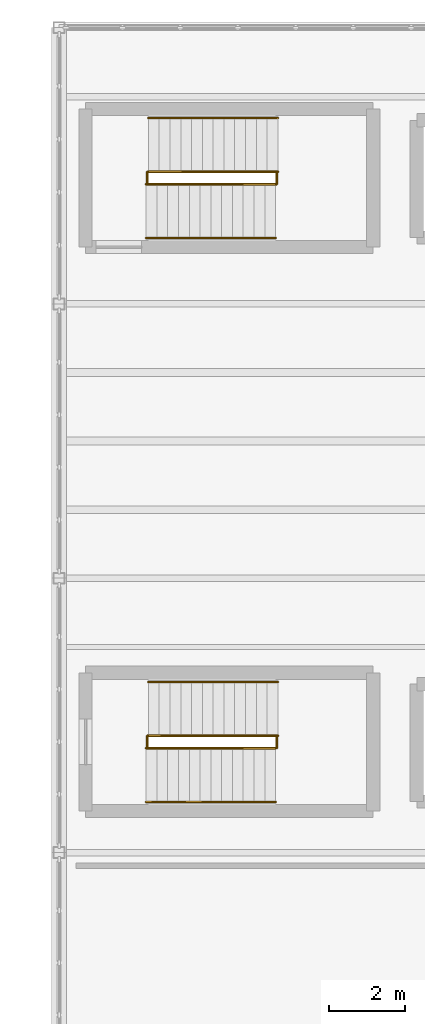
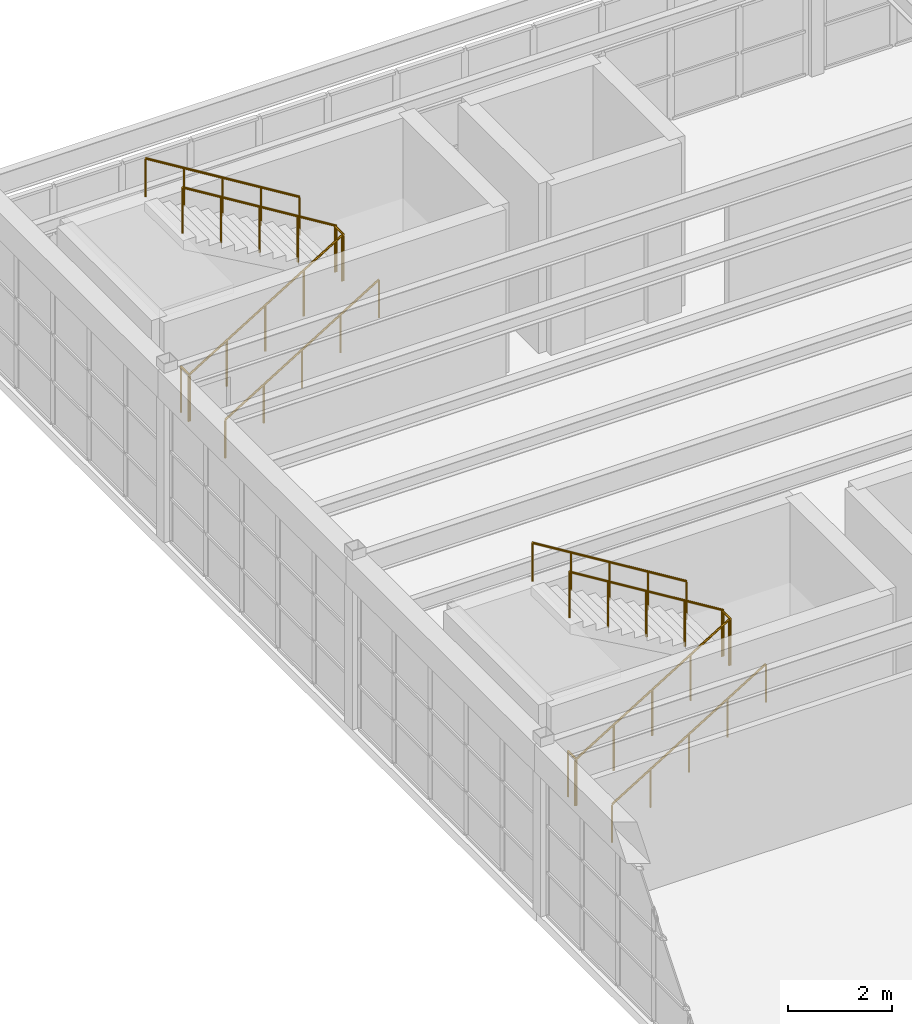
# One storey, part 51 of 52: 12 railings.
"""IFC4 building model written with IfcOpenShell, lengths in metres."""

import ifcopenshell
import ifcopenshell.guid

model = None  # the IFC model being written
_history = None  # IfcOwnerHistory: only IFC2X3 demands one
_inside = {}  # id of a spatial element -> (the spatial element, [elements in it])
_under = {}  # id of a project, library or spatial element -> (it, [spatial elements below it])
_declared = {}  # id of a project -> (the project, [libraries it declares])
_typed = {}  # id of a type object -> (the type object, [elements of that type])
_made_of = {}  # id of a material, layer set ... -> (it, [elements and type objects made of it])


def new_model(schema):
    """Start an empty IFC model of exactly this schema.

    Asked for "IFC4X3", IfcOpenShell would pick the latest addendum, in which some entities
    have other attributes; the version numbers below select the first issue.
    IFC2X3 requires an IfcOwnerHistory on every rooted entity: one is made here for all.
    """
    global model, _history
    if schema == "IFC4X3":
        model = ifcopenshell.file(schema_version=(4, 3, 0, 0))
    else:
        model = ifcopenshell.file(schema=schema)
    _inside.clear()
    _under.clear()
    _declared.clear()
    _typed.clear()
    _made_of.clear()
    _history = None
    if model.schema == "IFC2X3":
        org = make("IfcOrganization", Name="unknown")
        user = make(
            "IfcPersonAndOrganization",
            ThePerson=make("IfcPerson", FamilyName="unknown"),
            TheOrganization=org,
        )
        app = make(
            "IfcApplication",
            ApplicationDeveloper=org,
            Version="unknown",
            ApplicationFullName="unknown",
            ApplicationIdentifier="unknown",
        )
        _history = make(
            "IfcOwnerHistory",
            OwningUser=user,
            OwningApplication=app,
            ChangeAction="ADDED",
            CreationDate=0,
        )
    return model


def make(cls, **values):
    """One entity of the class cls with the attributes given. An attribute that is None is left unset."""
    return model.create_entity(
        cls, **{name: value for name, value in values.items() if value is not None}
    )


def rooted(cls, **values):
    """An entity with a GlobalId (a new one), such as an element, a storey or a relation."""
    return make(cls, GlobalId=ifcopenshell.guid.new(), OwnerHistory=_history, **values)


def si_unit(unit_type, name, prefix=None):
    """IfcSIUnit, for example si_unit("LENGTHUNIT", "METRE", prefix="MILLI")."""
    return make("IfcSIUnit", UnitType=unit_type, Prefix=prefix, Name=name)


def assignment(units):
    """IfcUnitAssignment: the units of a project."""
    return None if units is None else make("IfcUnitAssignment", Units=units)


def point(xyz):
    """IfcCartesianPoint."""
    return None if xyz is None else make("IfcCartesianPoint", Coordinates=xyz)


def direction(xyz):
    """IfcDirection."""
    return None if xyz is None else make("IfcDirection", DirectionRatios=xyz)


def frame(location, z_axis=None, x_axis=None):
    """IfcAxis2Placement3D, a coordinate frame: its origin and axes. An axis left out is left unset."""
    return make(
        "IfcAxis2Placement3D",
        Location=point(location),
        Axis=direction(z_axis),
        RefDirection=direction(x_axis),
    )


def frame_2d(location, x_axis=None):
    """IfcAxis2Placement2D, a coordinate frame in the plane: its origin and x axis."""
    return make(
        "IfcAxis2Placement2D", Location=point(location), RefDirection=direction(x_axis)
    )


def origin():
    """The frame at (0, 0, 0) with its axes left unset."""
    return frame((0.0, 0.0, 0.0))


def origin_2d():
    """The frame at (0, 0) in the plane with its x axis left unset."""
    return frame_2d((0.0, 0.0))


def place(relative_to, where):
    """IfcLocalPlacement: puts the frame where relative to a parent placement (None: the world)."""
    return make(
        "IfcLocalPlacement", PlacementRelTo=relative_to, RelativePlacement=where
    )


def context(
    kind, dimensions, precision=None, world=None, true_north=None, identifier=None
):
    """IfcGeometricRepresentationContext, for example the 3D "Model" context."""
    return make(
        "IfcGeometricRepresentationContext",
        ContextIdentifier=identifier,
        ContextType=kind,
        CoordinateSpaceDimension=dimensions,
        Precision=precision,
        WorldCoordinateSystem=world,
        TrueNorth=true_north,
    )


def subcontext(parent, identifier, kind, view, scale=None):
    """IfcGeometricRepresentationSubContext, for example "Body" below "Model"."""
    return make(
        "IfcGeometricRepresentationSubContext",
        ContextIdentifier=identifier,
        ContextType=kind,
        ParentContext=parent,
        TargetScale=scale,
        TargetView=view,
    )


def project(units=None, contexts=None):
    """IfcProject with its units and contexts."""
    return rooted(
        "IfcProject",
        Name="project",
        RepresentationContexts=contexts,
        UnitsInContext=assignment(units),
    )


def spatial(cls, under=None, at=None, **own):
    """A site, building, storey or space (cls), placed at a placement, below another one or the project."""
    s = rooted(cls, ObjectPlacement=at, **own)
    if under is not None:
        _under.setdefault(under.id(), (under, []))[1].append(s)
    return s


def profile(cls, at=None, kind="AREA", **sizes):
    """A parametric profile (cls). Its sizes go by their IFC names, for example OverallWidth=200.0."""
    return make(cls, ProfileType=kind, Position=at, **sizes)


def circle(**sizes):
    """IfcCircleProfileDef."""
    return profile("IfcCircleProfileDef", **sizes)


def extrude(swept, where, along, depth):
    """IfcExtrudedAreaSolid: the profile swept, set in the frame where, extruded along a direction by depth."""
    return make(
        "IfcExtrudedAreaSolid",
        SweptArea=swept,
        Position=where,
        ExtrudedDirection=direction(along),
        Depth=depth,
    )


def shape(context_of_items, identifier, shape_type, items):
    """IfcShapeRepresentation: the items that make up one representation, for example the "Body"."""
    return make(
        "IfcShapeRepresentation",
        ContextOfItems=context_of_items,
        RepresentationIdentifier=identifier,
        RepresentationType=shape_type,
        Items=items,
    )


def material(Name=None, Category=None):
    """IfcMaterial."""
    return make("IfcMaterial", Name=Name, Category=Category)


def made_of(thing, what):
    """Note that an element or type object is made of a material, layer set ...; save() writes the relation."""
    if what is not None:
        _made_of.setdefault(what.id(), (what, []))[1].append(thing)
    return thing


def type_object(cls, material=None, **own):
    """A type object (cls), such as IfcWallType, which elements share."""
    return made_of(rooted(cls, **own), material)


def element(
    cls,
    number,
    at=None,
    inside=None,
    cuts=None,
    type_object=None,
    material=None,
    context=None,
    identifier="Body",
    shape_type=None,
    held_by="IfcProductDefinitionShape",
    body=None,
    shapes=None,
    **own,
):
    """One element of the class cls, such as IfcWall. Its Tag is "e" and its number.

    at: its placement. inside: the storey or other place that contains it. cuts: it is an
    opening in that element (IfcRelVoidsElement). A single representation is given by context,
    identifier, shape_type and body (its items); several are given by shapes. held_by: the class
    of the entity that holds the representations. save() writes the other relations.
    """
    e = rooted(cls, Tag="e%d" % number, ObjectPlacement=at, **own)
    if body is not None:
        shapes = [shape(context, identifier, shape_type, body)]
    if shapes is not None:
        e.Representation = make(held_by, Representations=shapes)
    if inside is not None:
        _inside.setdefault(inside.id(), (inside, []))[1].append(e)
    if cuts is not None:
        rooted(
            "IfcRelVoidsElement", RelatingBuildingElement=cuts, RelatedOpeningElement=e
        )
    if type_object is not None:
        _typed.setdefault(type_object.id(), (type_object, []))[1].append(e)
    return made_of(e, material)


def aggregate(whole, parts):
    """IfcRelAggregates: a whole, such as a stair, and the parts it consists of."""
    return rooted("IfcRelAggregates", RelatingObject=whole, RelatedObjects=parts)


def save(model, path):
    """Write the relations noted so far, then the file.

    IfcRelAggregates (storeys below a building ...), IfcRelContainedInSpatialStructure (elements
    in a storey), IfcRelDefinesByType, IfcRelAssociatesMaterial and IfcRelDeclares: one each for
    every whole, place, type object, material and project.
    """
    for whole, parts in _under.values():
        aggregate(whole, parts)
    for where, things in _inside.values():
        rooted(
            "IfcRelContainedInSpatialStructure",
            RelatedElements=things,
            RelatingStructure=where,
        )
    for kind, things in _typed.values():
        rooted("IfcRelDefinesByType", RelatedObjects=things, RelatingType=kind)
    for what, things in _made_of.values():
        rooted("IfcRelAssociatesMaterial", RelatedObjects=things, RelatingMaterial=what)
    for by, libraries in _declared.values():
        rooted("IfcRelDeclares", RelatingContext=by, RelatedDefinitions=libraries)
    model.write(path)


model = new_model("IFC4")

# Units and contexts
model_context = context("Model", 3, precision=1e-05, world=origin(), true_north=direction((0.0, 1.0)))
body_context = subcontext(model_context, "Body", "Model", "MODEL_VIEW")
ifc_project = project(units=[si_unit("LENGTHUNIT", "METRE"), si_unit("AREAUNIT", "SQUARE_METRE"), si_unit("VOLUMEUNIT", "CUBIC_METRE"), si_unit("PLANEANGLEUNIT", "RADIAN"), si_unit("MASSUNIT", "GRAM", prefix="KILO")], contexts=[model_context])

# Site, building, storey
site_placement = place(None, origin())
site = spatial("IfcSite", under=ifc_project, at=site_placement, CompositionType="ELEMENT")
building_placement = place(site_placement, origin())
building = spatial("IfcBuilding", under=site, at=building_placement, Name="Candilejo Ridge Gondola Terminal", CompositionType="ELEMENT")
storey_placement = place(building_placement, frame((0.0, 0.0, 18.60009765625)))
storey = spatial("IfcBuildingStorey", under=building, at=storey_placement, Name="L04", CompositionType="ELEMENT", Elevation=18.60009765625)

# Railings
ifc_material_1 = material(Name="Hot-dip galvanised steel ASTM A500 Grade B", Category="steel")
railing_type_1 = type_object("IfcRailingType", Name="ARC-STAIR-GUARD-1100", PredefinedType="GUARDRAIL", material=ifc_material_1)
railing_1_placement = place(storey_placement, frame((152.330078125, 101.81005859375, 0.0)))
element("IfcRailing", 1, at=railing_1_placement, inside=storey, type_object=railing_type_1, Name="Arrival well guard ST-V5A-L03-ARR-L04", PredefinedType="GUARDRAIL", context=body_context, shape_type="SweptSolid", body=[
    extrude(circle(Radius=0.02392578125, at=origin_2d()), frame((0.0, 0.0, 1.076171875), z_axis=(0.0, 1.0, 0.0), x_axis=(-1.0, 0.0, 0.0)), (0.0, 0.0, 1.0), 0.329833984375),
    extrude(circle(Radius=0.02099609375, at=origin_2d()), origin(), (0.0, 0.0, 1.0), 1.052001953125),
    extrude(circle(Radius=0.02099609375, at=origin_2d()), frame((0.0, 0.329833984375, 0.0)), (0.0, 0.0, 1.0), 1.052001953125),
])
railing_2_placement = place(storey_placement, frame((152.300048828125, 101.81005859375, 0.0)))
element("IfcRailing", 2, at=railing_2_placement, inside=storey, type_object=railing_type_1, Name="Flight well guard ST-V5A-F07", PredefinedType="GUARDRAIL", context=body_context, shape_type="SweptSolid", body=[
    extrude(circle(Radius=0.02392578125, at=origin_2d()), frame((0.0, 0.0, 1.076171875), z_axis=(0.852182171552, 0.0, 0.523245206847), x_axis=(0.0, 1.0, 0.0)), (0.0, 0.0, 1.0), 4.01318359375),
    extrude(circle(Radius=0.02099609375, at=origin_2d()), origin(), (0.0, 0.0, 1.0), 1.052001953125),
    extrude(circle(Radius=0.02099609375, at=origin_2d()), frame((0.85498046875, 0.0, 0.52490234375)), (0.0, 0.0, 1.0), 1.052001953125),
    extrude(circle(Radius=0.02099609375, at=origin_2d()), frame((1.7099609375, 0.0, 1.0498046875)), (0.0, 0.0, 1.0), 1.052001953125),
    extrude(circle(Radius=0.02099609375, at=origin_2d()), frame((2.56494140625, 0.0, 1.574951171875)), (0.0, 0.0, 1.0), 1.052001953125),
    extrude(circle(Radius=0.02099609375, at=origin_2d()), frame((3.419921875, 0.0, 2.099853515625)), (0.0, 0.0, 1.0), 1.052001953125),
])
railing_3_placement = place(storey_placement, frame((155.75, 101.81005859375, 2.099853515625)))
element("IfcRailing", 3, at=railing_3_placement, inside=storey, type_object=railing_type_1, Name="Half-landing slot guard ST-V5A-LND-04", PredefinedType="GUARDRAIL", context=body_context, shape_type="SweptSolid", body=[
    extrude(circle(Radius=0.02392578125, at=origin_2d()), frame((0.0, 0.0, 1.076171875), z_axis=(0.0, 1.0, 0.0), x_axis=(-1.0, 0.0, 0.0)), (0.0, 0.0, 1.0), 0.329833984375),
    extrude(circle(Radius=0.02099609375, at=origin_2d()), origin(), (0.0, 0.0, 1.0), 1.052001953125),
    extrude(circle(Radius=0.02099609375, at=origin_2d()), frame((0.0, 0.329833984375, 0.0)), (0.0, 0.0, 1.0), 1.052001953125),
])
railing_4_placement = place(storey_placement, frame((155.780029296875, 102.139892578125, 2.099853515625)))
element("IfcRailing", 4, at=railing_4_placement, inside=storey, type_object=railing_type_1, Name="Flight well guard ST-V5A-F08", PredefinedType="GUARDRAIL", context=body_context, shape_type="SweptSolid", body=[
    extrude(circle(Radius=0.02392578125, at=origin_2d()), frame((0.0, 0.0, 1.076171875), z_axis=(-0.852155044755, 0.0, 0.523289384279), x_axis=(0.0, -1.0, 0.0)), (0.0, 0.0, 1.0), 4.01318359375),
    extrude(circle(Radius=0.02099609375, at=origin_2d()), origin(), (0.0, 0.0, 1.0), 1.052001953125),
    extrude(circle(Radius=0.02099609375, at=origin_2d()), frame((-0.85498046875, 0.0, 0.52490234375)), (0.0, 0.0, 1.0), 1.052001953125),
    extrude(circle(Radius=0.02099609375, at=origin_2d()), frame((-1.7099609375, 0.0, 1.050048828125)), (0.0, 0.0, 1.0), 1.052001953125),
    extrude(circle(Radius=0.02099609375, at=origin_2d()), frame((-2.56494140625, 0.0, 1.5751953125)), (0.0, 0.0, 1.0), 1.052001953125),
    extrude(circle(Radius=0.02099609375, at=origin_2d()), frame((-3.419921875, 0.0, 2.10009765625)), (0.0, 0.0, 1.0), 1.052001953125),
])
railing_5_placement = place(storey_placement, frame((152.330078125, 116.7099609375, 0.0)))
element("IfcRailing", 5, at=railing_5_placement, inside=storey, type_object=railing_type_1, Name="Arrival well guard ST-V5B-L03-ARR-L04", PredefinedType="GUARDRAIL", context=body_context, shape_type="SweptSolid", body=[
    extrude(circle(Radius=0.02392578125, at=origin_2d()), frame((0.0, 0.0, 1.076171875), z_axis=(0.0, 1.0, 0.0), x_axis=(-1.0, 0.0, 0.0)), (0.0, 0.0, 1.0), 0.330078125),
    extrude(circle(Radius=0.02099609375, at=origin_2d()), origin(), (0.0, 0.0, 1.0), 1.052001953125),
    extrude(circle(Radius=0.02099609375, at=origin_2d()), frame((0.0, 0.330078125, 0.0)), (0.0, 0.0, 1.0), 1.052001953125),
])
railing_6_placement = place(storey_placement, frame((152.300048828125, 116.7099609375, 0.0)))
element("IfcRailing", 6, at=railing_6_placement, inside=storey, type_object=railing_type_1, Name="Flight well guard ST-V5B-F07", PredefinedType="GUARDRAIL", context=body_context, shape_type="SweptSolid", body=[
    extrude(circle(Radius=0.02392578125, at=origin_2d()), frame((0.0, 0.0, 1.076171875), z_axis=(0.852182171552, 0.0, 0.523245206847), x_axis=(0.0, 1.0, 0.0)), (0.0, 0.0, 1.0), 4.01318359375),
    extrude(circle(Radius=0.02099609375, at=origin_2d()), origin(), (0.0, 0.0, 1.0), 1.052001953125),
    extrude(circle(Radius=0.02099609375, at=origin_2d()), frame((0.85498046875, 0.0, 0.52490234375)), (0.0, 0.0, 1.0), 1.052001953125),
    extrude(circle(Radius=0.02099609375, at=origin_2d()), frame((1.7099609375, 0.0, 1.0498046875)), (0.0, 0.0, 1.0), 1.052001953125),
    extrude(circle(Radius=0.02099609375, at=origin_2d()), frame((2.56494140625, 0.0, 1.574951171875)), (0.0, 0.0, 1.0), 1.052001953125),
    extrude(circle(Radius=0.02099609375, at=origin_2d()), frame((3.419921875, 0.0, 2.099853515625)), (0.0, 0.0, 1.0), 1.052001953125),
])
railing_7_placement = place(storey_placement, frame((155.75, 116.7099609375, 2.099853515625)))
element("IfcRailing", 7, at=railing_7_placement, inside=storey, type_object=railing_type_1, Name="Half-landing slot guard ST-V5B-LND-04", PredefinedType="GUARDRAIL", context=body_context, shape_type="SweptSolid", body=[
    extrude(circle(Radius=0.02392578125, at=origin_2d()), frame((0.0, 0.0, 1.076171875), z_axis=(0.0, 1.0, 0.0), x_axis=(-1.0, 0.0, 0.0)), (0.0, 0.0, 1.0), 0.330078125),
    extrude(circle(Radius=0.02099609375, at=origin_2d()), origin(), (0.0, 0.0, 1.0), 1.052001953125),
    extrude(circle(Radius=0.02099609375, at=origin_2d()), frame((0.0, 0.330078125, 0.0)), (0.0, 0.0, 1.0), 1.052001953125),
])
railing_8_placement = place(storey_placement, frame((155.780029296875, 117.0400390625, 2.099853515625)))
element("IfcRailing", 8, at=railing_8_placement, inside=storey, type_object=railing_type_1, Name="Flight well guard ST-V5B-F08", PredefinedType="GUARDRAIL", context=body_context, shape_type="SweptSolid", body=[
    extrude(circle(Radius=0.02392578125, at=origin_2d()), frame((0.0, 0.0, 1.076171875), z_axis=(-0.852155044755, 0.0, 0.523289384279), x_axis=(0.0, -1.0, 0.0)), (0.0, 0.0, 1.0), 4.01318359375),
    extrude(circle(Radius=0.02099609375, at=origin_2d()), origin(), (0.0, 0.0, 1.0), 1.052001953125),
    extrude(circle(Radius=0.02099609375, at=origin_2d()), frame((-0.85498046875, 0.0, 0.52490234375)), (0.0, 0.0, 1.0), 1.052001953125),
    extrude(circle(Radius=0.02099609375, at=origin_2d()), frame((-1.7099609375, 0.0, 1.050048828125)), (0.0, 0.0, 1.0), 1.052001953125),
    extrude(circle(Radius=0.02099609375, at=origin_2d()), frame((-2.56494140625, 0.0, 1.5751953125)), (0.0, 0.0, 1.0), 1.052001953125),
    extrude(circle(Radius=0.02099609375, at=origin_2d()), frame((-3.419921875, 0.0, 2.10009765625)), (0.0, 0.0, 1.0), 1.052001953125),
])
ifc_material_2 = material(Name="Brushed stainless steel AISI 316", Category="steel")
railing_type_2 = type_object("IfcRailingType", Name="ARC-STAIR-HANDRAIL-920", PredefinedType="HANDRAIL", material=ifc_material_2)
railing_9_placement = place(storey_placement, frame((152.300048828125, 100.389892578125, 0.0)))
element("IfcRailing", 9, at=railing_9_placement, inside=storey, type_object=railing_type_2, Name="Wall handrail ST-V5A-F07", PredefinedType="HANDRAIL", context=body_context, shape_type="SweptSolid", body=[
    extrude(circle(Radius=0.02392578125, at=origin_2d()), frame((0.0, 0.0, 0.89599609375), z_axis=(0.852182171552, 0.0, 0.523245206847), x_axis=(0.0, 1.0, 0.0)), (0.0, 0.0, 1.0), 4.01318359375),
    extrude(circle(Radius=0.02099609375, at=origin_2d()), origin(), (0.0, 0.0, 1.0), 0.871826171875),
    extrude(circle(Radius=0.02099609375, at=origin_2d()), frame((0.85498046875, 0.0, 0.52490234375)), (0.0, 0.0, 1.0), 0.871826171875),
    extrude(circle(Radius=0.02099609375, at=origin_2d()), frame((1.7099609375, 0.0, 1.0498046875)), (0.0, 0.0, 1.0), 0.871826171875),
    extrude(circle(Radius=0.02099609375, at=origin_2d()), frame((2.56494140625, 0.0, 1.574951171875)), (0.0, 0.0, 1.0), 0.871826171875),
    extrude(circle(Radius=0.02099609375, at=origin_2d()), frame((3.419921875, 0.0, 2.099853515625)), (0.0, 0.0, 1.0), 0.871826171875),
])
railing_10_placement = place(storey_placement, frame((155.780029296875, 103.56005859375, 2.099853515625)))
element("IfcRailing", 10, at=railing_10_placement, inside=storey, type_object=railing_type_2, Name="Wall handrail ST-V5A-F08", PredefinedType="HANDRAIL", context=body_context, shape_type="SweptSolid", body=[
    extrude(circle(Radius=0.02392578125, at=origin_2d()), frame((0.0, 0.0, 0.89599609375), z_axis=(-0.852155044755, 0.0, 0.523289384279), x_axis=(0.0, -1.0, 0.0)), (0.0, 0.0, 1.0), 4.01318359375),
    extrude(circle(Radius=0.02099609375, at=origin_2d()), origin(), (0.0, 0.0, 1.0), 0.871826171875),
    extrude(circle(Radius=0.02099609375, at=origin_2d()), frame((-0.85498046875, 0.0, 0.52490234375)), (0.0, 0.0, 1.0), 0.871826171875),
    extrude(circle(Radius=0.02099609375, at=origin_2d()), frame((-1.7099609375, 0.0, 1.050048828125)), (0.0, 0.0, 1.0), 0.871826171875),
    extrude(circle(Radius=0.02099609375, at=origin_2d()), frame((-2.56494140625, 0.0, 1.5751953125)), (0.0, 0.0, 1.0), 0.871826171875),
    extrude(circle(Radius=0.02099609375, at=origin_2d()), frame((-3.419921875, 0.0, 2.10009765625)), (0.0, 0.0, 1.0), 0.871826171875),
])
railing_11_placement = place(storey_placement, frame((152.300048828125, 115.2900390625, 0.0)))
element("IfcRailing", 11, at=railing_11_placement, inside=storey, type_object=railing_type_2, Name="Wall handrail ST-V5B-F07", PredefinedType="HANDRAIL", context=body_context, shape_type="SweptSolid", body=[
    extrude(circle(Radius=0.02392578125, at=origin_2d()), frame((0.0, 0.0, 0.89599609375), z_axis=(0.852182171552, 0.0, 0.523245206847), x_axis=(0.0, 1.0, 0.0)), (0.0, 0.0, 1.0), 4.01318359375),
    extrude(circle(Radius=0.02099609375, at=origin_2d()), origin(), (0.0, 0.0, 1.0), 0.871826171875),
    extrude(circle(Radius=0.02099609375, at=origin_2d()), frame((0.85498046875, 0.0, 0.52490234375)), (0.0, 0.0, 1.0), 0.871826171875),
    extrude(circle(Radius=0.02099609375, at=origin_2d()), frame((1.7099609375, 0.0, 1.0498046875)), (0.0, 0.0, 1.0), 0.871826171875),
    extrude(circle(Radius=0.02099609375, at=origin_2d()), frame((2.56494140625, 0.0, 1.574951171875)), (0.0, 0.0, 1.0), 0.871826171875),
    extrude(circle(Radius=0.02099609375, at=origin_2d()), frame((3.419921875, 0.0, 2.099853515625)), (0.0, 0.0, 1.0), 0.871826171875),
])
railing_12_placement = place(storey_placement, frame((155.780029296875, 118.4599609375, 2.099853515625)))
element("IfcRailing", 12, at=railing_12_placement, inside=storey, type_object=railing_type_2, Name="Wall handrail ST-V5B-F08", PredefinedType="HANDRAIL", context=body_context, shape_type="SweptSolid", body=[
    extrude(circle(Radius=0.02392578125, at=origin_2d()), frame((0.0, 0.0, 0.89599609375), z_axis=(-0.852155044755, 0.0, 0.523289384279), x_axis=(0.0, -1.0, 0.0)), (0.0, 0.0, 1.0), 4.01318359375),
    extrude(circle(Radius=0.02099609375, at=origin_2d()), origin(), (0.0, 0.0, 1.0), 0.871826171875),
    extrude(circle(Radius=0.02099609375, at=origin_2d()), frame((-0.85498046875, 0.0, 0.52490234375)), (0.0, 0.0, 1.0), 0.871826171875),
    extrude(circle(Radius=0.02099609375, at=origin_2d()), frame((-1.7099609375, 0.0, 1.050048828125)), (0.0, 0.0, 1.0), 0.871826171875),
    extrude(circle(Radius=0.02099609375, at=origin_2d()), frame((-2.56494140625, 0.0, 1.5751953125)), (0.0, 0.0, 1.0), 0.871826171875),
    extrude(circle(Radius=0.02099609375, at=origin_2d()), frame((-3.419921875, 0.0, 2.10009765625)), (0.0, 0.0, 1.0), 0.871826171875),
])

save(model, "model.ifc")
